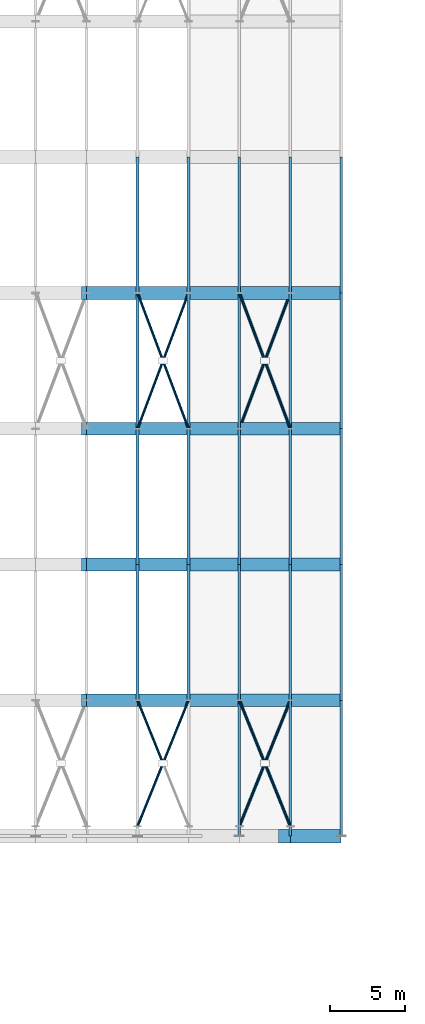
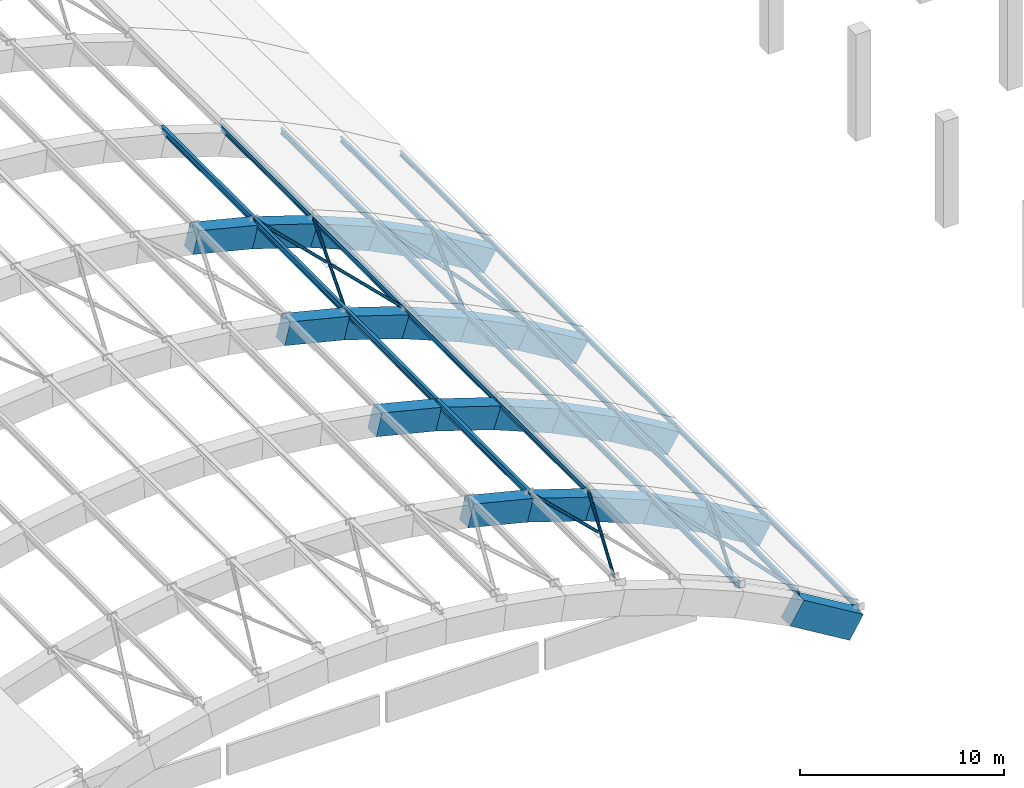
# One storey, part 6 of 30: 44 beams, 11 members.
"""IFC4 building model written with IfcOpenShell, lengths in metres."""

import ifcopenshell
import ifcopenshell.guid

model = None  # the IFC model being written
_history = None  # IfcOwnerHistory: only IFC2X3 demands one
_inside = {}  # id of a spatial element -> (the spatial element, [elements in it])
_under = {}  # id of a project, library or spatial element -> (it, [spatial elements below it])
_declared = {}  # id of a project -> (the project, [libraries it declares])
_typed = {}  # id of a type object -> (the type object, [elements of that type])
_made_of = {}  # id of a material, layer set ... -> (it, [elements and type objects made of it])


def new_model(schema):
    """Start an empty IFC model of exactly this schema.

    Asked for "IFC4X3", IfcOpenShell would pick the latest addendum, in which some entities
    have other attributes; the version numbers below select the first issue.
    IFC2X3 requires an IfcOwnerHistory on every rooted entity: one is made here for all.
    """
    global model, _history
    if schema == "IFC4X3":
        model = ifcopenshell.file(schema_version=(4, 3, 0, 0))
    else:
        model = ifcopenshell.file(schema=schema)
    _inside.clear()
    _under.clear()
    _declared.clear()
    _typed.clear()
    _made_of.clear()
    _history = None
    if model.schema == "IFC2X3":
        org = make("IfcOrganization", Name="unknown")
        user = make(
            "IfcPersonAndOrganization",
            ThePerson=make("IfcPerson", FamilyName="unknown"),
            TheOrganization=org,
        )
        app = make(
            "IfcApplication",
            ApplicationDeveloper=org,
            Version="unknown",
            ApplicationFullName="unknown",
            ApplicationIdentifier="unknown",
        )
        _history = make(
            "IfcOwnerHistory",
            OwningUser=user,
            OwningApplication=app,
            ChangeAction="ADDED",
            CreationDate=0,
        )
    return model


def make(cls, **values):
    """One entity of the class cls with the attributes given. An attribute that is None is left unset."""
    return model.create_entity(
        cls, **{name: value for name, value in values.items() if value is not None}
    )


def rooted(cls, **values):
    """An entity with a GlobalId (a new one), such as an element, a storey or a relation."""
    return make(cls, GlobalId=ifcopenshell.guid.new(), OwnerHistory=_history, **values)


def si_unit(unit_type, name, prefix=None):
    """IfcSIUnit, for example si_unit("LENGTHUNIT", "METRE", prefix="MILLI")."""
    return make("IfcSIUnit", UnitType=unit_type, Prefix=prefix, Name=name)


def assignment(units):
    """IfcUnitAssignment: the units of a project."""
    return None if units is None else make("IfcUnitAssignment", Units=units)


def point(xyz):
    """IfcCartesianPoint."""
    return None if xyz is None else make("IfcCartesianPoint", Coordinates=xyz)


def direction(xyz):
    """IfcDirection."""
    return None if xyz is None else make("IfcDirection", DirectionRatios=xyz)


def frame(location, z_axis=None, x_axis=None):
    """IfcAxis2Placement3D, a coordinate frame: its origin and axes. An axis left out is left unset."""
    return make(
        "IfcAxis2Placement3D",
        Location=point(location),
        Axis=direction(z_axis),
        RefDirection=direction(x_axis),
    )


def frame_2d(location, x_axis=None):
    """IfcAxis2Placement2D, a coordinate frame in the plane: its origin and x axis."""
    return make(
        "IfcAxis2Placement2D", Location=point(location), RefDirection=direction(x_axis)
    )


def origin():
    """The frame at (0, 0, 0) with its axes left unset."""
    return frame((0.0, 0.0, 0.0))


def origin_2d():
    """The frame at (0, 0) in the plane with its x axis left unset."""
    return frame_2d((0.0, 0.0))


def place(relative_to, where):
    """IfcLocalPlacement: puts the frame where relative to a parent placement (None: the world)."""
    return make(
        "IfcLocalPlacement", PlacementRelTo=relative_to, RelativePlacement=where
    )


def context(
    kind, dimensions, precision=None, world=None, true_north=None, identifier=None
):
    """IfcGeometricRepresentationContext, for example the 3D "Model" context."""
    return make(
        "IfcGeometricRepresentationContext",
        ContextIdentifier=identifier,
        ContextType=kind,
        CoordinateSpaceDimension=dimensions,
        Precision=precision,
        WorldCoordinateSystem=world,
        TrueNorth=true_north,
    )


def subcontext(parent, identifier, kind, view, scale=None):
    """IfcGeometricRepresentationSubContext, for example "Body" below "Model"."""
    return make(
        "IfcGeometricRepresentationSubContext",
        ContextIdentifier=identifier,
        ContextType=kind,
        ParentContext=parent,
        TargetScale=scale,
        TargetView=view,
    )


def project(units=None, contexts=None):
    """IfcProject with its units and contexts."""
    return rooted(
        "IfcProject",
        Name="project",
        RepresentationContexts=contexts,
        UnitsInContext=assignment(units),
    )


def spatial(cls, under=None, at=None, **own):
    """A site, building, storey or space (cls), placed at a placement, below another one or the project."""
    s = rooted(cls, ObjectPlacement=at, **own)
    if under is not None:
        _under.setdefault(under.id(), (under, []))[1].append(s)
    return s


def profile(cls, at=None, kind="AREA", **sizes):
    """A parametric profile (cls). Its sizes go by their IFC names, for example OverallWidth=200.0."""
    return make(cls, ProfileType=kind, Position=at, **sizes)


def rectangle(**sizes):
    """IfcRectangleProfileDef."""
    return profile("IfcRectangleProfileDef", **sizes)


def hollow_circle(**sizes):
    """IfcCircleHollowProfileDef."""
    return profile("IfcCircleHollowProfileDef", **sizes)


def i_section(**sizes):
    """IfcIShapeProfileDef."""
    return profile("IfcIShapeProfileDef", **sizes)


def extrude(swept, where, along, depth):
    """IfcExtrudedAreaSolid: the profile swept, set in the frame where, extruded along a direction by depth."""
    return make(
        "IfcExtrudedAreaSolid",
        SweptArea=swept,
        Position=where,
        ExtrudedDirection=direction(along),
        Depth=depth,
    )


def shape(context_of_items, identifier, shape_type, items):
    """IfcShapeRepresentation: the items that make up one representation, for example the "Body"."""
    return make(
        "IfcShapeRepresentation",
        ContextOfItems=context_of_items,
        RepresentationIdentifier=identifier,
        RepresentationType=shape_type,
        Items=items,
    )


def material(Name=None, Category=None):
    """IfcMaterial."""
    return make("IfcMaterial", Name=Name, Category=Category)


def material_profile(
    of_material, cross_section, Name=None, Category=None, Priority=None
):
    """IfcMaterialProfile: a cross section and its material."""
    return make(
        "IfcMaterialProfile",
        Name=Name,
        Material=of_material,
        Profile=cross_section,
        Priority=Priority,
        Category=Category,
    )


def profile_set(profiles, Name=None, composite=None):
    """IfcMaterialProfileSet."""
    return make(
        "IfcMaterialProfileSet",
        Name=Name,
        MaterialProfiles=profiles,
        CompositeProfile=composite,
    )


def made_of(thing, what):
    """Note that an element or type object is made of a material, layer set ...; save() writes the relation."""
    if what is not None:
        _made_of.setdefault(what.id(), (what, []))[1].append(thing)
    return thing


def type_object(cls, material=None, **own):
    """A type object (cls), such as IfcWallType, which elements share."""
    return made_of(rooted(cls, **own), material)


def element(
    cls,
    number,
    at=None,
    inside=None,
    cuts=None,
    type_object=None,
    material=None,
    context=None,
    identifier="Body",
    shape_type=None,
    held_by="IfcProductDefinitionShape",
    body=None,
    shapes=None,
    **own,
):
    """One element of the class cls, such as IfcWall. Its Tag is "e" and its number.

    at: its placement. inside: the storey or other place that contains it. cuts: it is an
    opening in that element (IfcRelVoidsElement). A single representation is given by context,
    identifier, shape_type and body (its items); several are given by shapes. held_by: the class
    of the entity that holds the representations. save() writes the other relations.
    """
    e = rooted(cls, Tag="e%d" % number, ObjectPlacement=at, **own)
    if body is not None:
        shapes = [shape(context, identifier, shape_type, body)]
    if shapes is not None:
        e.Representation = make(held_by, Representations=shapes)
    if inside is not None:
        _inside.setdefault(inside.id(), (inside, []))[1].append(e)
    if cuts is not None:
        rooted(
            "IfcRelVoidsElement", RelatingBuildingElement=cuts, RelatedOpeningElement=e
        )
    if type_object is not None:
        _typed.setdefault(type_object.id(), (type_object, []))[1].append(e)
    return made_of(e, material)


def aggregate(whole, parts):
    """IfcRelAggregates: a whole, such as a stair, and the parts it consists of."""
    return rooted("IfcRelAggregates", RelatingObject=whole, RelatedObjects=parts)


def save(model, path):
    """Write the relations noted so far, then the file.

    IfcRelAggregates (storeys below a building ...), IfcRelContainedInSpatialStructure (elements
    in a storey), IfcRelDefinesByType, IfcRelAssociatesMaterial and IfcRelDeclares: one each for
    every whole, place, type object, material and project.
    """
    for whole, parts in _under.values():
        aggregate(whole, parts)
    for where, things in _inside.values():
        rooted(
            "IfcRelContainedInSpatialStructure",
            RelatedElements=things,
            RelatingStructure=where,
        )
    for kind, things in _typed.values():
        rooted("IfcRelDefinesByType", RelatedObjects=things, RelatingType=kind)
    for what, things in _made_of.values():
        rooted("IfcRelAssociatesMaterial", RelatedObjects=things, RelatingMaterial=what)
    for by, libraries in _declared.values():
        rooted("IfcRelDeclares", RelatingContext=by, RelatedDefinitions=libraries)
    model.write(path)


model = new_model("IFC4")

# Units and contexts
model_context = context("Model", 3, precision=1e-05, world=origin(), true_north=direction((0.0, 1.0)))
body_context = subcontext(model_context, "Body", "Model", "MODEL_VIEW")
ifc_project = project(units=[si_unit("LENGTHUNIT", "METRE"), si_unit("AREAUNIT", "SQUARE_METRE"), si_unit("VOLUMEUNIT", "CUBIC_METRE"), si_unit("PLANEANGLEUNIT", "RADIAN"), si_unit("MASSUNIT", "GRAM", prefix="KILO")], contexts=[model_context])

# Site, building, storey
site_placement = place(None, origin())
site = spatial("IfcSite", under=ifc_project, at=site_placement, CompositionType="ELEMENT")
building_placement = place(site_placement, origin())
building = spatial("IfcBuilding", under=site, at=building_placement, Name="Ornek Quay Market", CompositionType="ELEMENT")
storey_placement = place(building_placement, frame((0.0, 0.0, 12.0)))
storey = spatial("IfcBuildingStorey", under=building, at=storey_placement, Name="L03", CompositionType="ELEMENT", Elevation=12.0)

# Beams
ifc_material_1 = material(Name="Concrete C45/55", Category="concrete")
ifc_material_profile_1 = material_profile(ifc_material_1, rectangle(XDim=0.85009765625, YDim=1.35009765625, at=origin_2d()), Name="RC 850x1350", Category="concrete")
ifc_profile_set_1 = profile_set([ifc_material_profile_1], Name="Concrete C45/55")
beam_type_1 = type_object("IfcBeamType", Name="BM-ARCH-850x1350", PredefinedType="BEAM", material=ifc_profile_set_1)
beam_1_placement = place(storey_placement, frame((99.96240234375, 38.0, 3.388427734375), z_axis=(0.970537665456, 0.0, -0.240949455139), x_axis=(0.0, 1.0, 0.0)))
element("IfcBeam", 1, at=beam_1_placement, inside=storey, type_object=beam_type_1, Name="Arch rib chord E.12", PredefinedType="BEAM", context=body_context, shape_type="SweptSolid", body=[
    extrude(rectangle(XDim=0.85009765625, YDim=1.35009765625, at=origin_2d()), origin(), (0.0, 0.0, 1.0), 3.4775390625),
])
beam_2_placement = place(storey_placement, frame((103.291015625, 38.0, 2.563720703125), z_axis=(0.950807373928, 0.0, -0.309782726575), x_axis=(0.0, 1.0, 0.0)))
element("IfcBeam", 2, at=beam_2_placement, inside=storey, type_object=beam_type_1, Name="Arch rib chord E.13", PredefinedType="BEAM", context=body_context, shape_type="SweptSolid", body=[
    extrude(rectangle(XDim=0.85009765625, YDim=1.35009765625, at=origin_2d()), origin(), (0.0, 0.0, 1.0), 3.549560546875),
])
beam_3_placement = place(storey_placement, frame((106.619384765625, 38.0, 1.481201171875), z_axis=(0.925506425872, 0.0, -0.378731904742), x_axis=(0.0, 1.0, 0.0)))
element("IfcBeam", 3, at=beam_3_placement, inside=storey, type_object=beam_type_1, Name="Arch rib chord E.14", PredefinedType="BEAM", context=body_context, shape_type="SweptSolid", body=[
    extrude(rectangle(XDim=0.85009765625, YDim=1.35009765625, at=origin_2d()), origin(), (0.0, 0.0, 1.0), 3.646728515625),
])
beam_4_placement = place(storey_placement, frame((109.947998046875, 38.0, 0.12109375), z_axis=(0.894245991428, 0.0, -0.447575811248), x_axis=(0.0, 1.0, 0.0)))
element("IfcBeam", 4, at=beam_4_placement, inside=storey, type_object=beam_type_1, Name="Arch rib chord E.15", PredefinedType="BEAM", context=body_context, shape_type="SweptSolid", body=[
    extrude(rectangle(XDim=0.85009765625, YDim=1.35009765625, at=origin_2d()), origin(), (0.0, 0.0, 1.0), 3.774169921875),
])
beam_5_placement = place(storey_placement, frame((113.2763671875, 38.0, -1.54248046875), z_axis=(0.856326530364, 0.0, -0.516434771675), x_axis=(0.0, 1.0, 0.0)))
element("IfcBeam", 5, at=beam_5_placement, inside=storey, type_object=beam_type_1, Name="Arch rib chord E.16", PredefinedType="BEAM", context=body_context, shape_type="SweptSolid", body=[
    extrude(rectangle(XDim=0.85009765625, YDim=1.35009765625, at=origin_2d()), origin(), (0.0, 0.0, 1.0), 3.941162109375),
])
beam_6_placement = place(storey_placement, frame((99.96240234375, 47.0, 3.388427734375), z_axis=(0.970537665456, 0.0, -0.240949455139), x_axis=(0.0, 1.0, 0.0)))
element("IfcBeam", 6, at=beam_6_placement, inside=storey, type_object=beam_type_1, Name="Arch rib chord F.12", PredefinedType="BEAM", context=body_context, shape_type="SweptSolid", body=[
    extrude(rectangle(XDim=0.85009765625, YDim=1.35009765625, at=origin_2d()), origin(), (0.0, 0.0, 1.0), 3.4775390625),
])
beam_7_placement = place(storey_placement, frame((103.291015625, 47.0, 2.563720703125), z_axis=(0.950807373928, 0.0, -0.309782726575), x_axis=(0.0, 1.0, 0.0)))
element("IfcBeam", 7, at=beam_7_placement, inside=storey, type_object=beam_type_1, Name="Arch rib chord F.13", PredefinedType="BEAM", context=body_context, shape_type="SweptSolid", body=[
    extrude(rectangle(XDim=0.85009765625, YDim=1.35009765625, at=origin_2d()), origin(), (0.0, 0.0, 1.0), 3.549560546875),
])
beam_8_placement = place(storey_placement, frame((106.619384765625, 47.0, 1.481201171875), z_axis=(0.925506425872, 0.0, -0.378731904742), x_axis=(0.0, 1.0, 0.0)))
element("IfcBeam", 8, at=beam_8_placement, inside=storey, type_object=beam_type_1, Name="Arch rib chord F.14", PredefinedType="BEAM", context=body_context, shape_type="SweptSolid", body=[
    extrude(rectangle(XDim=0.85009765625, YDim=1.35009765625, at=origin_2d()), origin(), (0.0, 0.0, 1.0), 3.646728515625),
])
beam_9_placement = place(storey_placement, frame((109.947998046875, 47.0, 0.12109375), z_axis=(0.894245991428, 0.0, -0.447575811248), x_axis=(0.0, 1.0, 0.0)))
element("IfcBeam", 9, at=beam_9_placement, inside=storey, type_object=beam_type_1, Name="Arch rib chord F.15", PredefinedType="BEAM", context=body_context, shape_type="SweptSolid", body=[
    extrude(rectangle(XDim=0.85009765625, YDim=1.35009765625, at=origin_2d()), origin(), (0.0, 0.0, 1.0), 3.774169921875),
])
beam_10_placement = place(storey_placement, frame((113.2763671875, 47.0, -1.54248046875), z_axis=(0.856326530364, 0.0, -0.516434771675), x_axis=(0.0, 1.0, 0.0)))
element("IfcBeam", 10, at=beam_10_placement, inside=storey, type_object=beam_type_1, Name="Arch rib chord F.16", PredefinedType="BEAM", context=body_context, shape_type="SweptSolid", body=[
    extrude(rectangle(XDim=0.85009765625, YDim=1.35009765625, at=origin_2d()), origin(), (0.0, 0.0, 1.0), 3.941162109375),
])
beam_11_placement = place(storey_placement, frame((99.96240234375, 56.0, 3.388427734375), z_axis=(0.970537665456, 0.0, -0.240949455139), x_axis=(0.0, 1.0, 0.0)))
element("IfcBeam", 11, at=beam_11_placement, inside=storey, type_object=beam_type_1, Name="Arch rib chord G.12", PredefinedType="BEAM", context=body_context, shape_type="SweptSolid", body=[
    extrude(rectangle(XDim=0.85009765625, YDim=1.35009765625, at=origin_2d()), origin(), (0.0, 0.0, 1.0), 3.4775390625),
])
beam_12_placement = place(storey_placement, frame((103.291015625, 56.0, 2.563720703125), z_axis=(0.950807373928, 0.0, -0.309782726575), x_axis=(0.0, 1.0, 0.0)))
element("IfcBeam", 12, at=beam_12_placement, inside=storey, type_object=beam_type_1, Name="Arch rib chord G.13", PredefinedType="BEAM", context=body_context, shape_type="SweptSolid", body=[
    extrude(rectangle(XDim=0.85009765625, YDim=1.35009765625, at=origin_2d()), origin(), (0.0, 0.0, 1.0), 3.549560546875),
])
beam_13_placement = place(storey_placement, frame((106.619384765625, 56.0, 1.481201171875), z_axis=(0.925506425872, 0.0, -0.378731904742), x_axis=(0.0, 1.0, 0.0)))
element("IfcBeam", 13, at=beam_13_placement, inside=storey, type_object=beam_type_1, Name="Arch rib chord G.14", PredefinedType="BEAM", context=body_context, shape_type="SweptSolid", body=[
    extrude(rectangle(XDim=0.85009765625, YDim=1.35009765625, at=origin_2d()), origin(), (0.0, 0.0, 1.0), 3.646728515625),
])
beam_14_placement = place(storey_placement, frame((109.947998046875, 56.0, 0.12109375), z_axis=(0.894245991428, 0.0, -0.447575811248), x_axis=(0.0, 1.0, 0.0)))
element("IfcBeam", 14, at=beam_14_placement, inside=storey, type_object=beam_type_1, Name="Arch rib chord G.15", PredefinedType="BEAM", context=body_context, shape_type="SweptSolid", body=[
    extrude(rectangle(XDim=0.85009765625, YDim=1.35009765625, at=origin_2d()), origin(), (0.0, 0.0, 1.0), 3.774169921875),
])
beam_15_placement = place(storey_placement, frame((113.2763671875, 56.0, -1.54248046875), z_axis=(0.856326530364, 0.0, -0.516434771675), x_axis=(0.0, 1.0, 0.0)))
element("IfcBeam", 15, at=beam_15_placement, inside=storey, type_object=beam_type_1, Name="Arch rib chord G.16", PredefinedType="BEAM", context=body_context, shape_type="SweptSolid", body=[
    extrude(rectangle(XDim=0.85009765625, YDim=1.35009765625, at=origin_2d()), origin(), (0.0, 0.0, 1.0), 3.941162109375),
])
beam_16_placement = place(storey_placement, frame((99.96240234375, 65.0, 3.388427734375), z_axis=(0.970537665456, 0.0, -0.240949455139), x_axis=(0.0, 1.0, 0.0)))
element("IfcBeam", 16, at=beam_16_placement, inside=storey, type_object=beam_type_1, Name="Arch rib chord H.12", PredefinedType="BEAM", context=body_context, shape_type="SweptSolid", body=[
    extrude(rectangle(XDim=0.85009765625, YDim=1.35009765625, at=origin_2d()), origin(), (0.0, 0.0, 1.0), 3.4775390625),
])
beam_17_placement = place(storey_placement, frame((103.291015625, 65.0, 2.563720703125), z_axis=(0.950807373928, 0.0, -0.309782726575), x_axis=(0.0, 1.0, 0.0)))
element("IfcBeam", 17, at=beam_17_placement, inside=storey, type_object=beam_type_1, Name="Arch rib chord H.13", PredefinedType="BEAM", context=body_context, shape_type="SweptSolid", body=[
    extrude(rectangle(XDim=0.85009765625, YDim=1.35009765625, at=origin_2d()), origin(), (0.0, 0.0, 1.0), 3.549560546875),
])
beam_18_placement = place(storey_placement, frame((106.619384765625, 65.0, 1.481201171875), z_axis=(0.925506425872, 0.0, -0.378731904742), x_axis=(0.0, 1.0, 0.0)))
element("IfcBeam", 18, at=beam_18_placement, inside=storey, type_object=beam_type_1, Name="Arch rib chord H.14", PredefinedType="BEAM", context=body_context, shape_type="SweptSolid", body=[
    extrude(rectangle(XDim=0.85009765625, YDim=1.35009765625, at=origin_2d()), origin(), (0.0, 0.0, 1.0), 3.646728515625),
])
beam_19_placement = place(storey_placement, frame((109.947998046875, 65.0, 0.12109375), z_axis=(0.894245991428, 0.0, -0.447575811248), x_axis=(0.0, 1.0, 0.0)))
element("IfcBeam", 19, at=beam_19_placement, inside=storey, type_object=beam_type_1, Name="Arch rib chord H.15", PredefinedType="BEAM", context=body_context, shape_type="SweptSolid", body=[
    extrude(rectangle(XDim=0.85009765625, YDim=1.35009765625, at=origin_2d()), origin(), (0.0, 0.0, 1.0), 3.774169921875),
])
beam_20_placement = place(storey_placement, frame((113.2763671875, 65.0, -1.54248046875), z_axis=(0.856326530364, 0.0, -0.516434771675), x_axis=(0.0, 1.0, 0.0)))
element("IfcBeam", 20, at=beam_20_placement, inside=storey, type_object=beam_type_1, Name="Arch rib chord H.16", PredefinedType="BEAM", context=body_context, shape_type="SweptSolid", body=[
    extrude(rectangle(XDim=0.85009765625, YDim=1.35009765625, at=origin_2d()), origin(), (0.0, 0.0, 1.0), 3.941162109375),
])
ifc_material_profile_2 = material_profile(ifc_material_1, rectangle(XDim=0.89990234375, YDim=1.5, at=origin_2d()), Name="RC 900x1500", Category="concrete")
ifc_profile_set_2 = profile_set([ifc_material_profile_2], Name="Concrete C45/55")
beam_type_2 = type_object("IfcBeamType", Name="BM-ARCH-900x1500", PredefinedType="BEAM", material=ifc_profile_set_2)
beam_21_placement = place(storey_placement, frame((113.237548828125, 29.0, -1.606689453125), z_axis=(0.856326530364, 0.0, -0.516434771675), x_axis=(0.0, 1.0, 0.0)))
element("IfcBeam", 21, at=beam_21_placement, inside=storey, type_object=beam_type_2, Name="Arch rib chord D.16", PredefinedType="BEAM", context=body_context, shape_type="SweptSolid", body=[
    extrude(rectangle(XDim=0.89990234375, YDim=1.5, at=origin_2d()), origin(), (0.0, 0.0, 1.0), 3.941162109375),
])
ifc_material_2 = material(Name="Steel S355", Category="steel")
ifc_material_profile_3 = material_profile(ifc_material_2, i_section(OverallWidth=0.135009765625, OverallDepth=0.27001953125, WebThickness=0.006591796875, FlangeThickness=0.01025390625, FilletRadius=0.014892578125, at=origin_2d()), Name="IPE 270", Category="steel")
ifc_profile_set_3 = profile_set([ifc_material_profile_3], Name="Steel S355")
beam_type_3 = type_object("IfcBeamType", Name="BM-STL-IPE270", PredefinedType="JOIST", material=ifc_profile_set_3)
for number, where, z_axis, x_axis, name in (
    (22, (117.0, 29.0, -2.8916015625), (0.0, 1.0, 0.0), (-1.0, 0.0, 0.0), "Vault steel purlin VP-017"),
    (23, (117.0, 38.0, -2.8916015625), (0.0, 1.0, 0.0), (-1.0, 0.0, 0.0), "Vault steel purlin VP-034"),
    (24, (117.0, 47.0, -2.8916015625), (0.0, 1.0, 0.0), (-1.0, 0.0, 0.0), "Vault steel purlin VP-051"),
    (25, (117.0, 56.0, -2.8916015625), (0.0, 1.0, 0.0), (-1.0, 0.0, 0.0), "Vault steel purlin VP-068"),
    (26, (117.0, 65.0, -2.8916015625), (0.0, 1.0, 0.0), (-1.0, 0.0, 0.0), "Vault steel purlin VP-085"),
):
    element("IfcBeam", number, at=place(storey_placement, frame(where, z_axis=z_axis, x_axis=x_axis)), inside=storey, type_object=beam_type_3, Name=name, PredefinedType="JOIST", context=body_context, shape_type="SweptSolid", body=[
        extrude(i_section(OverallWidth=0.135009765625, OverallDepth=0.27001953125, WebThickness=0.006591796875, FlangeThickness=0.01025390625, FilletRadius=0.014892578125, at=origin_2d()), origin(), (0.0, 0.0, 1.0), 9.0),
    ])
ifc_material_profile_4 = material_profile(ifc_material_2, i_section(OverallWidth=0.14990234375, OverallDepth=0.300048828125, WebThickness=0.007080078125, FlangeThickness=0.0107421875, FilletRadius=0.014892578125, at=origin_2d()), Name="IPE 300", Category="steel")
ifc_profile_set_4 = profile_set([ifc_material_profile_4], Name="Steel S355")
beam_type_4 = type_object("IfcBeamType", Name="BM-STL-IPE300", PredefinedType="JOIST", material=ifc_profile_set_4)
for number, where, z_axis, x_axis, name in (
    (27, (113.625, 29.0, -0.87109375), (0.0, 1.0, 0.0), (-1.0, 0.0, 0.0), "Vault steel purlin VP-016"),
    (28, (113.625, 38.0, -0.87109375), (0.0, 1.0, 0.0), (-1.0, 0.0, 0.0), "Vault steel purlin VP-033"),
    (29, (113.625, 47.0, -0.87109375), (0.0, 1.0, 0.0), (-1.0, 0.0, 0.0), "Vault steel purlin VP-050"),
    (30, (113.625, 56.0, -0.87109375), (0.0, 1.0, 0.0), (-1.0, 0.0, 0.0), "Vault steel purlin VP-067"),
    (31, (113.625, 65.0, -0.87109375), (0.0, 1.0, 0.0), (-1.0, 0.0, 0.0), "Vault steel purlin VP-084"),
):
    element("IfcBeam", number, at=place(storey_placement, frame(where, z_axis=z_axis, x_axis=x_axis)), inside=storey, type_object=beam_type_4, Name=name, PredefinedType="JOIST", context=body_context, shape_type="SweptSolid", body=[
        extrude(i_section(OverallWidth=0.14990234375, OverallDepth=0.300048828125, WebThickness=0.007080078125, FlangeThickness=0.0107421875, FilletRadius=0.014892578125, at=origin_2d()), origin(), (0.0, 0.0, 1.0), 9.0),
    ])
ifc_material_profile_5 = material_profile(ifc_material_2, i_section(OverallWidth=0.159912109375, OverallDepth=0.330078125, WebThickness=0.007568359375, FlangeThickness=0.011474609375, FilletRadius=0.01806640625, at=origin_2d()), Name="IPE 330", Category="steel")
ifc_profile_set_5 = profile_set([ifc_material_profile_5], Name="Steel S355")
beam_type_5 = type_object("IfcBeamType", Name="BM-STL-IPE330", PredefinedType="JOIST", material=ifc_profile_set_5)
for number, where, z_axis, x_axis, name in (
    (32, (110.25, 29.0, 0.8173828125), (0.0, 1.0, 0.0), (-1.0, 0.0, 0.0), "Vault steel purlin VP-015"),
    (33, (110.25, 38.0, 0.8173828125), (0.0, 1.0, 0.0), (-1.0, 0.0, 0.0), "Vault steel purlin VP-032"),
    (34, (110.25, 47.0, 0.8173828125), (0.0, 1.0, 0.0), (-1.0, 0.0, 0.0), "Vault steel purlin VP-049"),
    (35, (110.25, 56.0, 0.8173828125), (0.0, 1.0, 0.0), (-1.0, 0.0, 0.0), "Vault steel purlin VP-066"),
    (36, (110.25, 65.0, 0.8173828125), (0.0, 1.0, 0.0), (-1.0, 0.0, 0.0), "Vault steel purlin VP-083"),
):
    element("IfcBeam", number, at=place(storey_placement, frame(where, z_axis=z_axis, x_axis=x_axis)), inside=storey, type_object=beam_type_5, Name=name, PredefinedType="JOIST", context=body_context, shape_type="SweptSolid", body=[
        extrude(i_section(OverallWidth=0.159912109375, OverallDepth=0.330078125, WebThickness=0.007568359375, FlangeThickness=0.011474609375, FilletRadius=0.01806640625, at=origin_2d()), origin(), (0.0, 0.0, 1.0), 9.0),
    ])
ifc_material_profile_6 = material_profile(ifc_material_2, i_section(OverallWidth=0.169921875, OverallDepth=0.360107421875, WebThickness=0.008056640625, FlangeThickness=0.0126953125, FilletRadius=0.01806640625, at=origin_2d()), Name="IPE 360", Category="steel")
ifc_profile_set_6 = profile_set([ifc_material_profile_6], Name="Steel S355")
beam_type_6 = type_object("IfcBeamType", Name="BM-STL-IPE360", PredefinedType="BEAM", material=ifc_profile_set_6)
for number, where, z_axis, x_axis, name in (
    (37, (106.875, 38.0, 2.194580078125), (0.0, 1.0, 0.0), (-1.0, 0.0, 0.0), "Vault steel purlin VP-031"),
    (38, (106.875, 47.0, 2.194580078125), (0.0, 1.0, 0.0), (-1.0, 0.0, 0.0), "Vault steel purlin VP-048"),
    (39, (106.875, 56.0, 2.194580078125), (0.0, 1.0, 0.0), (-1.0, 0.0, 0.0), "Vault steel purlin VP-065"),
    (40, (106.875, 65.0, 2.194580078125), (0.0, 1.0, 0.0), (-1.0, 0.0, 0.0), "Vault steel purlin VP-082"),
):
    element("IfcBeam", number, at=place(storey_placement, frame(where, z_axis=z_axis, x_axis=x_axis)), inside=storey, type_object=beam_type_6, Name=name, PredefinedType="BEAM", context=body_context, shape_type="SweptSolid", body=[
        extrude(i_section(OverallWidth=0.169921875, OverallDepth=0.360107421875, WebThickness=0.008056640625, FlangeThickness=0.0126953125, FilletRadius=0.01806640625, at=origin_2d()), origin(), (0.0, 0.0, 1.0), 9.0),
    ])
ifc_material_profile_7 = material_profile(ifc_material_2, i_section(OverallWidth=0.179931640625, OverallDepth=0.39990234375, WebThickness=0.008544921875, FlangeThickness=0.013427734375, FilletRadius=0.02099609375, at=origin_2d()), Name="IPE 400", Category="steel")
ifc_profile_set_7 = profile_set([ifc_material_profile_7], Name="Steel S355")
beam_type_7 = type_object("IfcBeamType", Name="BM-STL-IPE400", PredefinedType="BEAM", material=ifc_profile_set_7)
for number, where, z_axis, x_axis, name in (
    (41, (103.5, 38.0, 3.28271484375), (0.0, 1.0, 0.0), (-1.0, 0.0, 0.0), "Vault steel purlin VP-030"),
    (42, (103.5, 47.0, 3.28271484375), (0.0, 1.0, 0.0), (-1.0, 0.0, 0.0), "Vault steel purlin VP-047"),
    (43, (103.5, 56.0, 3.28271484375), (0.0, 1.0, 0.0), (-1.0, 0.0, 0.0), "Vault steel purlin VP-064"),
    (44, (103.5, 65.0, 3.28271484375), (0.0, 1.0, 0.0), (-1.0, 0.0, 0.0), "Vault steel purlin VP-081"),
):
    element("IfcBeam", number, at=place(storey_placement, frame(where, z_axis=z_axis, x_axis=x_axis)), inside=storey, type_object=beam_type_7, Name=name, PredefinedType="BEAM", context=body_context, shape_type="SweptSolid", body=[
        extrude(i_section(OverallWidth=0.179931640625, OverallDepth=0.39990234375, WebThickness=0.008544921875, FlangeThickness=0.013427734375, FilletRadius=0.02099609375, at=origin_2d()), origin(), (0.0, 0.0, 1.0), 9.0),
    ])

# Members
ifc_material_profile_8 = material_profile(ifc_material_2, hollow_circle(Radius=0.084228515625, WallThickness=0.008056640625, at=origin_2d()), Name="CHS 168.3x8", Category="steel")
ifc_profile_set_8 = profile_set([ifc_material_profile_8], Name="Steel S355")
member_type_1 = type_object("IfcMemberType", Name="MBR-BRC-CHS168", PredefinedType="BRACE", material=ifc_profile_set_8)
member_1_placement = place(storey_placement, frame((103.5, 29.64990234375, 3.32568359375), z_axis=(0.37197127333, 0.920295246705, -0.121218937092), x_axis=(-0.927132108754, 0.374734643337, 0.0)))
element("IfcMember", 45, at=member_1_placement, inside=storey, type_object=member_type_1, Name="Vault wind brace VB-019", PredefinedType="BRACE", context=body_context, shape_type="SweptSolid", body=[
    extrude(hollow_circle(Radius=0.084228515625, WallThickness=0.008056640625, at=origin_2d()), origin(), (0.0, 0.0, 1.0), 9.0732421875),
])
member_2_placement = place(storey_placement, frame((105.135498046875, 33.953857421875, 2.792724609375), z_axis=(-0.371990805381, 0.920287149959, 0.121220469943), x_axis=(-0.927124126697, -0.374754391163, 0.0)))
element("IfcMember", 46, at=member_2_placement, inside=storey, type_object=member_type_1, Name="Vault split wind brace VB-021", PredefinedType="BRACE", context=body_context, shape_type="SweptSolid", body=[
    extrude(hollow_circle(Radius=0.084228515625, WallThickness=0.008056640625, at=origin_2d()), origin(), (0.0, 0.0, 1.0), 4.396728515625),
])
member_3_placement = place(storey_placement, frame((103.5, 56.0, 3.32568359375), z_axis=(0.348847126847, 0.930259004926, -0.11368318189), x_axis=(-0.936329177569, 0.351123441588, 0.0)))
element("IfcMember", 47, at=member_3_placement, inside=storey, type_object=member_type_1, Name="Vault wind brace VB-043", PredefinedType="BRACE", context=body_context, shape_type="SweptSolid", body=[
    extrude(hollow_circle(Radius=0.084228515625, WallThickness=0.008056640625, at=origin_2d()), origin(), (0.0, 0.0, 1.0), 9.6748046875),
])
for number, where, z_axis, x_axis, name in (
    (48, (106.875, 56.0, 2.225830078125), (-0.3488421715, 0.93026311497, 0.113664754033), (-0.936331327357, -0.351117708767, 0.0), "Vault split wind brace VB-044"),
    (49, (105.138671875, 60.630126953125, 2.79150390625), (-0.348840110266, 0.930257618244, 0.113716055015), (-0.936331327357, -0.351117708767, 0.0), "Vault split wind brace VB-045"),
):
    element("IfcMember", number, at=place(storey_placement, frame(where, z_axis=z_axis, x_axis=x_axis)), inside=storey, type_object=member_type_1, Name=name, PredefinedType="BRACE", context=body_context, shape_type="SweptSolid", body=[
        extrude(hollow_circle(Radius=0.084228515625, WallThickness=0.008056640625, at=origin_2d()), origin(), (0.0, 0.0, 1.0), 4.697509765625),
    ])
ifc_material_profile_9 = material_profile(ifc_material_2, hollow_circle(Radius=0.096923828125, WallThickness=0.010009765625, at=origin_2d()), Name="CHS 193.7x10", Category="steel")
ifc_profile_set_9 = profile_set([ifc_material_profile_9], Name="Steel S355")
member_type_2 = type_object("IfcMemberType", Name="MBR-BRC-CHS193", PredefinedType="BRACE", material=ifc_profile_set_9)
member_4_placement = place(storey_placement, frame((110.25, 29.64990234375, 0.8447265625), z_axis=(0.368312450238, 0.911242941481, -0.184342725926), x_axis=(-0.927132108754, 0.374734643337, 0.0)))
element("IfcMember", 50, at=member_4_placement, inside=storey, type_object=member_type_2, Name="Vault wind brace VB-022", PredefinedType="BRACE", context=body_context, shape_type="SweptSolid", body=[
    extrude(hollow_circle(Radius=0.096923828125, WallThickness=0.010009765625, at=origin_2d()), origin(), (0.0, 0.0, 1.0), 9.163330078125),
])
member_5_placement = place(storey_placement, frame((113.625, 29.64990234375, -0.844482421875), z_axis=(-0.368311392312, 0.911242288187, 0.184348068917), x_axis=(-0.927132389378, -0.374733949045, 0.0)))
element("IfcMember", 51, at=member_5_placement, inside=storey, type_object=member_type_2, Name="Vault split wind brace VB-023", PredefinedType="BRACE", context=body_context, shape_type="SweptSolid", body=[
    extrude(hollow_circle(Radius=0.096923828125, WallThickness=0.010009765625, at=origin_2d()), origin(), (0.0, 0.0, 1.0), 4.44189453125),
])
member_6_placement = place(storey_placement, frame((111.885986328125, 33.95263671875, 0.02587890625), z_axis=(-0.368329840091, 0.911232963591, 0.184357302442), x_axis=(-0.927124535877, -0.37475337887, 0.0)))
element("IfcMember", 52, at=member_6_placement, inside=storey, type_object=member_type_2, Name="Vault split wind brace VB-024", PredefinedType="BRACE", context=body_context, shape_type="SweptSolid", body=[
    extrude(hollow_circle(Radius=0.096923828125, WallThickness=0.010009765625, at=origin_2d()), origin(), (0.0, 0.0, 1.0), 4.441650390625),
])
member_7_placement = place(storey_placement, frame((110.25, 56.0, 0.8447265625), z_axis=(0.345823773586, 0.922196729563, -0.173087000104), x_axis=(-0.936329177569, 0.351123441588, 0.0)))
element("IfcMember", 53, at=member_7_placement, inside=storey, type_object=member_type_2, Name="Vault wind brace VB-046", PredefinedType="BRACE", context=body_context, shape_type="SweptSolid", body=[
    extrude(hollow_circle(Radius=0.096923828125, WallThickness=0.010009765625, at=origin_2d()), origin(), (0.0, 0.0, 1.0), 9.75927734375),
])
for number, where, z_axis, x_axis, name in (
    (54, (113.625, 56.0, -0.844482421875), (-0.345838349959, 0.922184089861, 0.173125215105), (-0.936322729495, -0.351140635973, 0.0), "Vault split wind brace VB-047"),
    (55, (111.88916015625, 60.629150390625, 0.0244140625), (-0.345841433619, 0.922192312495, 0.173075248281), (-0.936322729495, -0.351140635973, 0.0), "Vault split wind brace VB-048"),
):
    element("IfcMember", number, at=place(storey_placement, frame(where, z_axis=z_axis, x_axis=x_axis)), inside=storey, type_object=member_type_2, Name=name, PredefinedType="BRACE", context=body_context, shape_type="SweptSolid", body=[
        extrude(hollow_circle(Radius=0.096923828125, WallThickness=0.010009765625, at=origin_2d()), origin(), (0.0, 0.0, 1.0), 4.73974609375),
    ])

save(model, "model.ifc")
